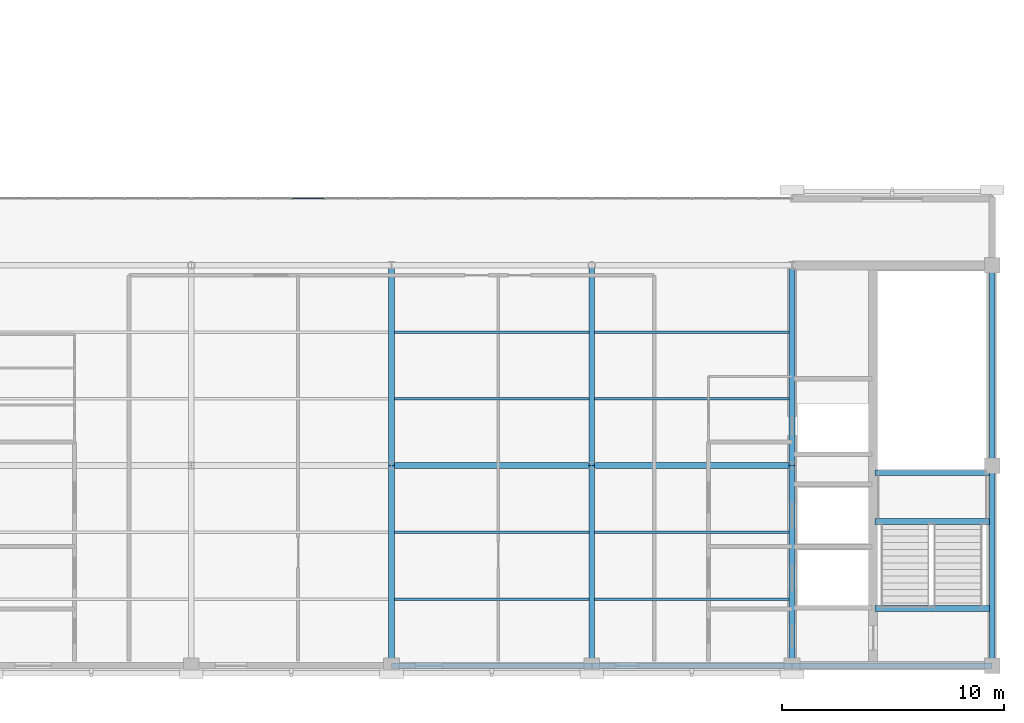
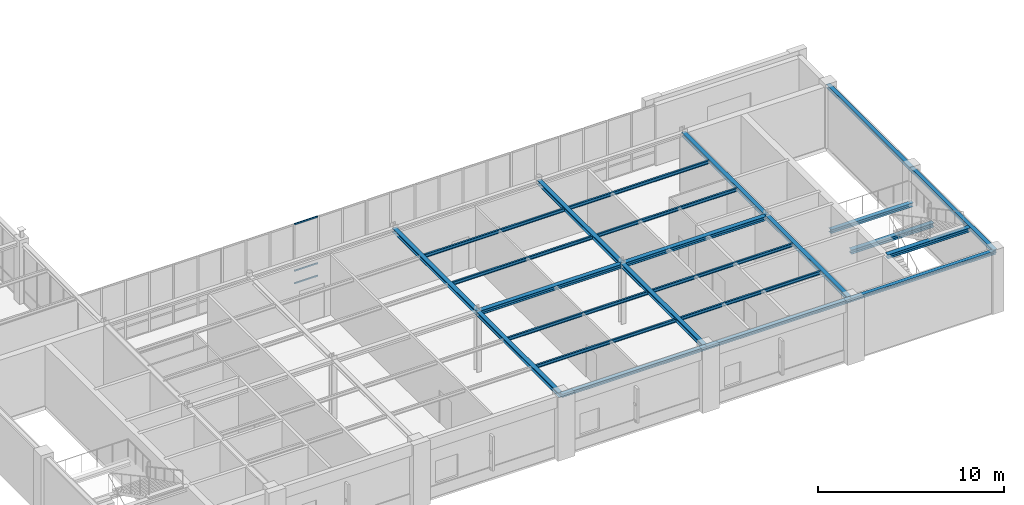
# One storey, part 14 of 36: 24 beams, 3 members, 1 element without a shape of its own.
"""IFC4 building model written with IfcOpenShell, lengths in metres."""

from ifc_helpers import new_model, si_unit, direction, frame, origin, origin_2d, place, context, subcontext, project, spatial, hollow_rectangle, i_section, extrude, material, material_profile, profile_set, type_object, element, aggregate, save


model = new_model("IFC4")

# Units and contexts
model_context = context("Model", 3, precision=1e-05, world=origin(), true_north=direction((0.0, 1.0)))
body_context = subcontext(model_context, "Body", "Model", "MODEL_VIEW")
ifc_project = project(units=[si_unit("LENGTHUNIT", "METRE"), si_unit("AREAUNIT", "SQUARE_METRE"), si_unit("VOLUMEUNIT", "CUBIC_METRE"), si_unit("PLANEANGLEUNIT", "RADIAN"), si_unit("MASSUNIT", "GRAM", prefix="KILO")], contexts=[model_context])

# Site, building, storey
site_placement = place(None, origin())
site = spatial("IfcSite", under=ifc_project, at=site_placement, CompositionType="ELEMENT")
building_placement = place(site_placement, origin())
building = spatial("IfcBuilding", under=site, at=building_placement, Name="Lykobir Media Centre", CompositionType="ELEMENT")
storey_placement = place(building_placement, frame((0.0, 0.0, 27.60009765625)))
storey = spatial("IfcBuildingStorey", under=building, at=storey_placement, Name="L06", CompositionType="ELEMENT", Elevation=27.60009765625)

# Beams
ifc_material_1 = material(Name="Steel S355", Category="steel")
ifc_material_profile_1 = material_profile(ifc_material_1, i_section(OverallWidth=0.260009765625, OverallDepth=0.25, WebThickness=0.007568359375, FlangeThickness=0.012451171875, at=origin_2d()), Name="HEA 260")
ifc_profile_set_1 = profile_set([ifc_material_profile_1], Name="Steel S355")
beam_type_1 = type_object("IfcBeamType", Name="BM-HEA260", PredefinedType="BEAM", material=ifc_profile_set_1)
for number, where, z_axis, x_axis, name in (
    (1, (54.0, 0.0, 3.8349609375), (0.0, 1.0, 0.0), (-1.0, 0.0, 0.0), "Beam BM-L06-0540-0000-0540-0090-3144"),
    (2, (54.0, 9.0, 3.8349609375), (0.0, 1.0, 0.0), (-1.0, 0.0, 0.0), "Beam BM-L06-0540-0090-0540-0180-3144"),
    (3, (63.0, 0.0, 3.8349609375), (0.0, 1.0, 0.0), (-1.0, 0.0, 0.0), "Beam BM-L06-0630-0000-0630-0090-3144"),
    (4, (63.0, 9.0, 3.8349609375), (0.0, 1.0, 0.0), (-1.0, 0.0, 0.0), "Beam BM-L06-0630-0090-0630-0180-3144"),
    (5, (72.0, 0.0, 3.8349609375), (0.0, 1.0, 0.0), (-1.0, 0.0, 0.0), "Beam BM-L06-0720-0000-0720-0090-3144"),
    (6, (72.0, 9.0, 3.8349609375), (0.0, 1.0, 0.0), (-1.0, 0.0, 0.0), "Beam BM-L06-0720-0090-0720-0180-3144"),
):
    element("IfcBeam", number, at=place(storey_placement, frame(where, z_axis=z_axis, x_axis=x_axis)), inside=storey, type_object=beam_type_1, Name=name, PredefinedType="BEAM", context=body_context, shape_type="SweptSolid", body=[
        extrude(i_section(OverallWidth=0.260009765625, OverallDepth=0.25, WebThickness=0.007568359375, FlangeThickness=0.012451171875, at=origin_2d()), origin(), (0.0, 0.0, 1.0), 9.0),
    ])
ifc_material_profile_2 = material_profile(ifc_material_1, i_section(OverallWidth=0.280029296875, OverallDepth=0.27001953125, WebThickness=0.008056640625, FlangeThickness=0.012939453125, at=origin_2d()), Name="HEA 280")
ifc_profile_set_2 = profile_set([ifc_material_profile_2], Name="Steel S355")
beam_type_2 = type_object("IfcBeamType", Name="BM-HEA280", PredefinedType="BEAM", material=ifc_profile_set_2)
for number, where, z_axis, x_axis, name in (
    (7, (54.0, 9.0, 3.824951171875), (1.0, 0.0, 0.0), (0.0, 1.0, 0.0), "Beam BM-L06-0540-0090-0630-0090-3142"),
    (8, (63.0, 9.0, 3.824951171875), (1.0, 0.0, 0.0), (0.0, 1.0, 0.0), "Beam BM-L06-0630-0090-0720-0090-3142"),
):
    element("IfcBeam", number, at=place(storey_placement, frame(where, z_axis=z_axis, x_axis=x_axis)), inside=storey, type_object=beam_type_2, Name=name, PredefinedType="BEAM", context=body_context, shape_type="SweptSolid", body=[
        extrude(i_section(OverallWidth=0.280029296875, OverallDepth=0.27001953125, WebThickness=0.008056640625, FlangeThickness=0.012939453125, at=origin_2d()), origin(), (0.0, 0.0, 1.0), 9.0),
    ])
ifc_material_profile_3 = material_profile(ifc_material_1, i_section(OverallWidth=0.260009765625, OverallDepth=0.25, WebThickness=0.007568359375, FlangeThickness=0.012451171875, at=origin_2d()), Name="HEA 260")
ifc_profile_set_3 = profile_set([ifc_material_profile_3], Name="Steel S355")
beam_type_3 = type_object("IfcBeamType", Name="BM-ST260", PredefinedType="BEAM", material=ifc_profile_set_3)
beam_placement = place(storey_placement, frame((75.72998046875, 8.679931640625, 1.77978515625), z_axis=(1.0, 0.0, 0.0), x_axis=(0.0, 1.0, 0.0)))
element("IfcBeam", 9, at=beam_placement, inside=storey, type_object=beam_type_3, Name="ST-2 L06 half-landing support beam", PredefinedType="BEAM", context=body_context, shape_type="SweptSolid", body=[
    extrude(i_section(OverallWidth=0.260009765625, OverallDepth=0.25, WebThickness=0.007568359375, FlangeThickness=0.012451171875, at=origin_2d()), origin(), (0.0, 0.0, 1.0), 5.14013671875),
])
ifc_material_profile_4 = material_profile(ifc_material_1, i_section(OverallWidth=0.280029296875, OverallDepth=0.27001953125, WebThickness=0.008056640625, FlangeThickness=0.012939453125, at=origin_2d()), Name="HEA 280")
ifc_profile_set_4 = profile_set([ifc_material_profile_4], Name="Steel S355")
beam_type_4 = type_object("IfcBeamType", Name="BM-ST280", PredefinedType="BEAM", material=ifc_profile_set_4)
for number, where, z_axis, x_axis, name in (
    (10, (75.72998046875, 2.580078125, 3.824951171875), (1.0, 0.0, 0.0), (0.0, 1.0, 0.0), "ST-2 L06 arrival trimmer beam"),
    (11, (75.72998046875, 6.47998046875, 1.77001953125), (1.0, 0.0, 0.0), (0.0, 1.0, 0.0), "ST-2 L06 mid-landing trimmer beam"),
):
    element("IfcBeam", number, at=place(storey_placement, frame(where, z_axis=z_axis, x_axis=x_axis)), inside=storey, type_object=beam_type_4, Name=name, PredefinedType="BEAM", context=body_context, shape_type="SweptSolid", body=[
        extrude(i_section(OverallWidth=0.280029296875, OverallDepth=0.27001953125, WebThickness=0.008056640625, FlangeThickness=0.012939453125, at=origin_2d()), origin(), (0.0, 0.0, 1.0), 5.14013671875),
    ])

# Curtain wall, members
ifc_material_2 = material(Name="Anodized Aluminium AW-6060", Category="aluminium")
curtain_wall_type = type_object("IfcCurtainWallType", Name="CW-COURT-B", PredefinedType="NOTDEFINED", material=ifc_material_2)
curtain_wall_placement = place(storey_placement, origin())
curtain_wall = element("IfcCurtainWall", 12, at=curtain_wall_placement, inside=storey, type_object=curtain_wall_type, Name="Curtain wall CW2-L06-0207", PredefinedType="NOTDEFINED")
ifc_material_profile_5 = material_profile(ifc_material_2, hollow_rectangle(XDim=0.054931640625, YDim=0.094970703125, WallThickness=0.0029296875, at=origin_2d()), Name="ALU TRANSOM 55x95")
ifc_profile_set_5 = profile_set([ifc_material_profile_5], Name="Anodized Aluminium AW-6060")
member_type = type_object("IfcMemberType", Name="CWT-095", PredefinedType="USERDEFINED", material=ifc_profile_set_5)
member_1_placement = place(storey_placement, frame((49.527587890625, 21.0, 0.02734375), z_axis=(1.0, 0.0, 0.0), x_axis=(0.0, 1.0, 0.0)))
member_1 = element("IfcMember", 13, at=member_1_placement, type_object=member_type, Name="CW2-L06-0207 transom 4.1", ObjectType="TRANSOM", PredefinedType="USERDEFINED", context=body_context, shape_type="SweptSolid", body=[
    extrude(hollow_rectangle(XDim=0.054931640625, YDim=0.094970703125, WallThickness=0.0029296875, at=origin_2d()), origin(), (0.0, 0.0, 1.0), 1.44482421875),
])
member_2_placement = place(storey_placement, frame((49.527587890625, 21.0, 0.849853515625), z_axis=(1.0, 0.0, 0.0), x_axis=(0.0, 1.0, 0.0)))
member_2 = element("IfcMember", 14, at=member_2_placement, type_object=member_type, Name="CW2-L06-0207 transom 4.2", ObjectType="TRANSOM", PredefinedType="USERDEFINED", context=body_context, shape_type="SweptSolid", body=[
    extrude(hollow_rectangle(XDim=0.054931640625, YDim=0.094970703125, WallThickness=0.0029296875, at=origin_2d()), origin(), (0.0, 0.0, 1.0), 1.44482421875),
])
member_3_placement = place(storey_placement, frame((49.527587890625, 21.0, 3.912353515625), z_axis=(1.0, 0.0, 0.0), x_axis=(0.0, 1.0, 0.0)))
member_3 = element("IfcMember", 15, at=member_3_placement, type_object=member_type, Name="CW2-L06-0207 transom 4.3", ObjectType="TRANSOM", PredefinedType="USERDEFINED", context=body_context, shape_type="SweptSolid", body=[
    extrude(hollow_rectangle(XDim=0.054931640625, YDim=0.094970703125, WallThickness=0.0029296875, at=origin_2d()), origin(), (0.0, 0.0, 1.0), 1.44482421875),
])
aggregate(curtain_wall, [member_1, member_2, member_3])

# Beams
ifc_material_profile_6 = material_profile(ifc_material_1, i_section(OverallWidth=0.110107421875, OverallDepth=0.219970703125, WebThickness=0.005859375, FlangeThickness=0.00927734375, at=origin_2d()), Name="IPE 220")
ifc_profile_set_6 = profile_set([ifc_material_profile_6], Name="Steel S355")
beam_type_5 = type_object("IfcBeamType", Name="JS-IPE220", PredefinedType="JOIST", material=ifc_profile_set_6)
for number, where, z_axis, x_axis, name in (
    (16, (54.1298828125, 3.0, 3.849853515625), (1.0, 0.0, 0.0), (0.0, 1.0, 0.0), "Beam BM-L06-0541-0030-0629-0030-3145"),
    (17, (54.1298828125, 6.0, 3.849853515625), (1.0, 0.0, 0.0), (0.0, 1.0, 0.0), "Beam BM-L06-0541-0060-0629-0060-3145"),
    (18, (54.1298828125, 12.0, 3.849853515625), (1.0, 0.0, 0.0), (0.0, 1.0, 0.0), "Beam BM-L06-0541-0120-0629-0120-3145"),
    (19, (54.1298828125, 15.0, 3.849853515625), (1.0, 0.0, 0.0), (0.0, 1.0, 0.0), "Beam BM-L06-0541-0150-0629-0150-3145"),
    (20, (63.1298828125, 3.0, 3.849853515625), (1.0, 0.0, 0.0), (0.0, 1.0, 0.0), "Beam BM-L06-0631-0030-0719-0030-3145"),
    (21, (63.1298828125, 6.0, 3.849853515625), (1.0, 0.0, 0.0), (0.0, 1.0, 0.0), "Beam BM-L06-0631-0060-0719-0060-3145"),
    (22, (63.1298828125, 12.0, 3.849853515625), (1.0, 0.0, 0.0), (0.0, 1.0, 0.0), "Beam BM-L06-0631-0120-0719-0120-3145"),
    (23, (63.1298828125, 15.0, 3.849853515625), (1.0, 0.0, 0.0), (0.0, 1.0, 0.0), "Beam BM-L06-0631-0150-0719-0150-3145"),
):
    element("IfcBeam", number, at=place(storey_placement, frame(where, z_axis=z_axis, x_axis=x_axis)), inside=storey, type_object=beam_type_5, Name=name, PredefinedType="JOIST", context=body_context, shape_type="SweptSolid", body=[
        extrude(i_section(OverallWidth=0.110107421875, OverallDepth=0.219970703125, WebThickness=0.005859375, FlangeThickness=0.00927734375, at=origin_2d()), origin(), (0.0, 0.0, 1.0), 8.740234375),
    ])
ifc_material_profile_7 = material_profile(ifc_material_1, i_section(OverallWidth=0.239990234375, OverallDepth=0.22998046875, WebThickness=0.007568359375, FlangeThickness=0.011962890625, at=origin_2d()), Name="HEA 240")
ifc_profile_set_7 = profile_set([ifc_material_profile_7], Name="Steel S355")
beam_type_6 = type_object("IfcBeamType", Name="SP-HEA240-E", PredefinedType="SPANDREL", material=ifc_profile_set_7)
for number, where, z_axis, x_axis, name in (
    (24, (54.0, 0.0, 3.844970703125), (1.0, 0.0, 0.0), (0.0, 1.0, 0.0), "Beam BM-L06-0540-0000-0630-0000-3144"),
    (25, (63.0, 0.0, 3.844970703125), (1.0, 0.0, 0.0), (0.0, 1.0, 0.0), "Beam BM-L06-0630-0000-0720-0000-3144"),
    (26, (72.0, 0.0, 3.844970703125), (1.0, 0.0, 0.0), (0.0, 1.0, 0.0), "Beam BM-L06-0720-0000-0810-0000-3144"),
    (27, (81.0, 0.0, 3.844970703125), (0.0, 1.0, 0.0), (-1.0, 0.0, 0.0), "Beam BM-L06-0810-0000-0810-0090-3144"),
    (28, (81.0, 9.0, 3.844970703125), (0.0, 1.0, 0.0), (-1.0, 0.0, 0.0), "Beam BM-L06-0810-0090-0810-0180-3144"),
):
    element("IfcBeam", number, at=place(storey_placement, frame(where, z_axis=z_axis, x_axis=x_axis)), inside=storey, type_object=beam_type_6, Name=name, PredefinedType="SPANDREL", context=body_context, shape_type="SweptSolid", body=[
        extrude(i_section(OverallWidth=0.239990234375, OverallDepth=0.22998046875, WebThickness=0.007568359375, FlangeThickness=0.011962890625, at=origin_2d()), origin(), (0.0, 0.0, 1.0), 9.0),
    ])

save(model, "model.ifc")
